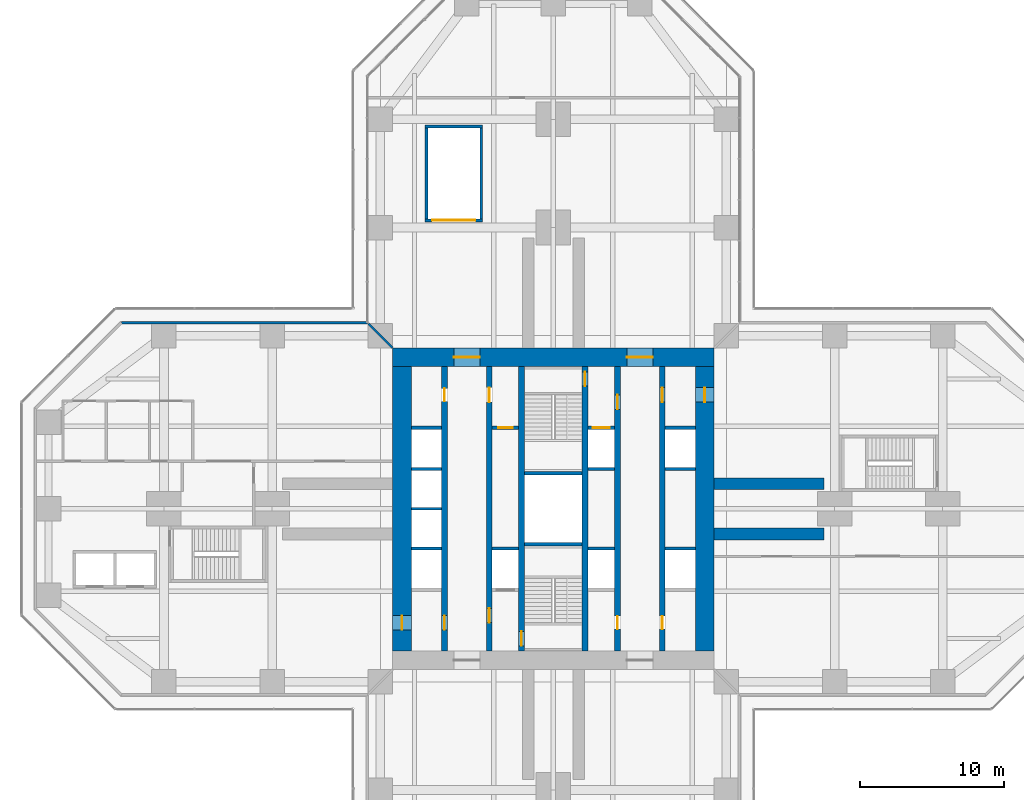
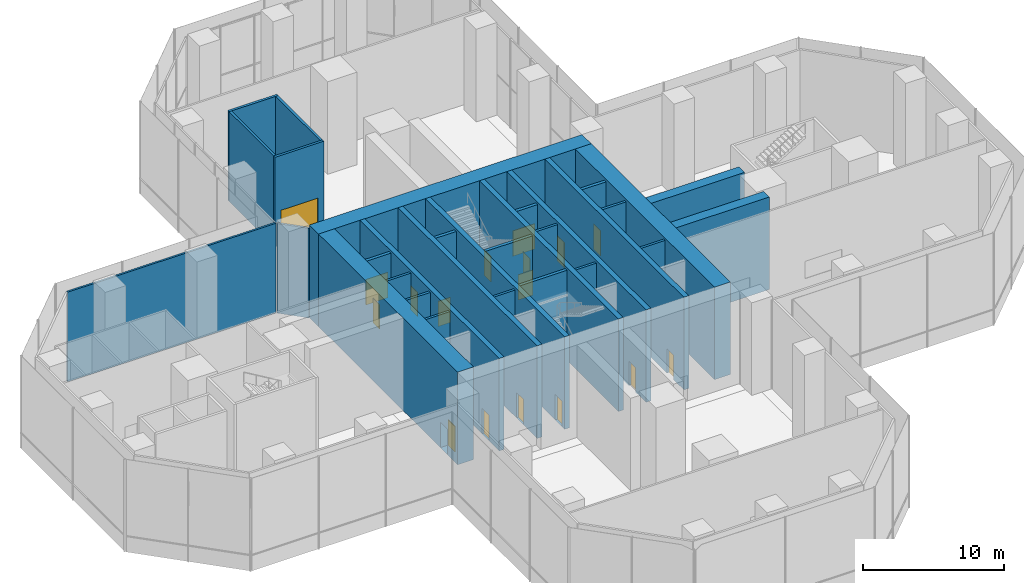
# One storey, part 18 of 25: 31 walls, 17 doors, 17 openings.
"""IFC4 building model written with IfcOpenShell, lengths in metres."""

from ifc_helpers import new_model, si_unit, direction, frame, frame_2d, origin, place, context, subcontext, project, spatial, rectangle, extrude, material, layer, layer_set, type_object, element, fill, save


model = new_model("IFC4")

# Units and contexts
model_context = context("Model", 3, precision=1e-05, world=origin(), true_north=direction((0.0, 1.0)))
body_context = subcontext(model_context, "Body", "Model", "MODEL_VIEW")
ifc_project = project(units=[si_unit("LENGTHUNIT", "METRE"), si_unit("AREAUNIT", "SQUARE_METRE"), si_unit("VOLUMEUNIT", "CUBIC_METRE"), si_unit("PLANEANGLEUNIT", "RADIAN"), si_unit("MASSUNIT", "GRAM", prefix="KILO")], contexts=[model_context])

# Site, building, storey
site_placement = place(None, origin())
site = spatial("IfcSite", under=ifc_project, at=site_placement, CompositionType="ELEMENT")
building_placement = place(site_placement, origin())
building = spatial("IfcBuilding", under=site, at=building_placement, Name="Mizan Broadcast Tower", CompositionType="ELEMENT")
storey_placement = place(building_placement, frame((0.0, 0.0, 15.0)))
storey = spatial("IfcBuildingStorey", under=building, at=storey_placement, Name="L02", CompositionType="ELEMENT", Elevation=15.0)

# Wall, openings, doors
ifc_material_1 = material(Name="Concrete C70/85", Category="concrete")
ifc_layer_1 = layer(ifc_material_1, 0.39990234375)
ifc_layer_set_1 = layer_set([ifc_layer_1], Name="Concrete C70/85")
wall_type_1 = type_object("IfcWallType", Name="CORE INTERNAL WALL 400", PredefinedType="SHEAR", material=ifc_layer_set_1)
wall_1_placement = place(storey_placement, frame((-7.550048828125, -9.85009765625, 0.0), z_axis=(0.0, 0.0, 1.0), x_axis=(0.0, 1.0, 0.0)))
wall_1 = element("IfcWall", 1, at=wall_1_placement, inside=storey, type_object=wall_type_1, Name="Core wall CORE/XW1", PredefinedType="SHEAR", context=body_context, shape_type="SweptSolid", body=[
    extrude(rectangle(XDim=19.7001953125, YDim=0.39990234375, at=frame_2d((9.85009765625, 0.0))), origin(), (0.0, 0.0, 1.0), 8.0),
])
opening_1_placement = place(wall_1_placement, frame((1.449951171875, 0.0, 0.0)))
opening_1 = element("IfcOpeningElement", 2, at=opening_1_placement, cuts=wall_1, Name="Opening D10F", PredefinedType="OPENING", context=body_context, shape_type="SweptSolid", body=[
    extrude(rectangle(XDim=1.0, YDim=2.199951171875, at=frame_2d((0.5, 1.10009765625))), frame((0.0, 0.2099609375, 0.0), z_axis=(0.0, -1.0, 0.0), x_axis=(1.0, 0.0, 0.0)), (0.0, 0.0, 1.0), 0.419921875),
])
opening_2_placement = place(wall_1_placement, frame((17.300048828125, 0.0, 0.0)))
opening_2 = element("IfcOpeningElement", 3, at=opening_2_placement, cuts=wall_1, Name="Opening D09", PredefinedType="OPENING", context=body_context, shape_type="SweptSolid", body=[
    extrude(rectangle(XDim=0.89990234375, YDim=2.10009765625, at=frame_2d((0.449951171875, 1.050048828125))), frame((0.0, 0.2099609375, 0.0), z_axis=(0.0, -1.0, 0.0), x_axis=(1.0, 0.0, 0.0)), (0.0, 0.0, 1.0), 0.419921875),
])
ifc_material_2 = material(Name="Steel door leaf in steel frame", Category="steel")
door_type_1 = type_object("IfcDoorType", Name="FIRE DOOR 1000 FD90", OperationType="SINGLE_SWING_LEFT", PredefinedType="DOOR", material=ifc_material_2)
door_1_placement = place(opening_1_placement, origin())
door_1 = element("IfcDoor", 4, at=door_1_placement, inside=storey, type_object=door_type_1, Name="West core passage door", OperationType="SINGLE_SWING_LEFT", OverallHeight=2.199951171875, OverallWidth=1.0, PredefinedType="DOOR", context=body_context, shape_type="SweptSolid", body=[
    extrude(rectangle(XDim=1.0, YDim=2.199951171875, at=frame_2d((0.5, 1.10009765625))), frame((0.0, 0.02490234375, 0.0), z_axis=(0.0, -1.0, 0.0), x_axis=(1.0, 0.0, 0.0)), (0.0, 0.0, 1.0), 0.050048828125),
])
fill(opening_1, door_1)
ifc_material_3 = material(Name="Timber door leaf in aluminium frame", Category="wood")
door_type_2 = type_object("IfcDoorType", Name="TOILET DOOR 900", OperationType="SINGLE_SWING_LEFT", PredefinedType="DOOR", material=ifc_material_3)
door_2_placement = place(opening_2_placement, origin())
door_2 = element("IfcDoor", 5, at=door_2_placement, inside=storey, type_object=door_type_2, Name="Male WC door", OperationType="SINGLE_SWING_RIGHT", OverallHeight=2.10009765625, OverallWidth=0.89990234375, PredefinedType="DOOR", context=body_context, shape_type="SweptSolid", body=[
    extrude(rectangle(XDim=0.89990234375, YDim=2.10009765625, at=frame_2d((0.449951171875, 1.050048828125))), frame((0.0, 0.02490234375, 0.0), z_axis=(0.0, -1.0, 0.0), x_axis=(1.0, 0.0, 0.0)), (0.0, 0.0, 1.0), 0.050048828125),
])
fill(opening_2, door_2)

wall_2_placement = place(storey_placement, frame((7.550048828125, 9.85009765625, 0.0), z_axis=(0.0, 0.0, 1.0), x_axis=(0.0, -1.0, 0.0)))
wall_2 = element("IfcWall", 6, at=wall_2_placement, inside=storey, type_object=wall_type_1, Name="Core wall CORE/XW1E", PredefinedType="SHEAR", context=body_context, shape_type="SweptSolid", body=[
    extrude(rectangle(XDim=19.7001953125, YDim=0.39990234375, at=frame_2d((9.85009765625, 0.0))), origin(), (0.0, 0.0, 1.0), 8.0),
])
opening_3_placement = place(wall_2_placement, frame((1.449951171875, 0.0, 0.0)))
opening_3 = element("IfcOpeningElement", 7, at=opening_3_placement, cuts=wall_2, Name="Opening D10F", PredefinedType="OPENING", context=body_context, shape_type="SweptSolid", body=[
    extrude(rectangle(XDim=1.0, YDim=2.199951171875, at=frame_2d((0.5, 1.10009765625))), frame((0.0, 0.2099609375, 0.0), z_axis=(0.0, -1.0, 0.0), x_axis=(1.0, 0.0, 0.0)), (0.0, 0.0, 1.0), 0.419921875),
])
opening_4_placement = place(wall_2_placement, frame((17.300048828125, 0.0, 0.0)))
opening_4 = element("IfcOpeningElement", 8, at=opening_4_placement, cuts=wall_2, Name="Opening D09", PredefinedType="OPENING", context=body_context, shape_type="SweptSolid", body=[
    extrude(rectangle(XDim=0.89990234375, YDim=2.10009765625, at=frame_2d((0.449951171875, 1.050048828125))), frame((0.0, 0.2099609375, 0.0), z_axis=(0.0, -1.0, 0.0), x_axis=(1.0, 0.0, 0.0)), (0.0, 0.0, 1.0), 0.419921875),
])
door_3_placement = place(opening_3_placement, origin())
door_3 = element("IfcDoor", 9, at=door_3_placement, inside=storey, type_object=door_type_1, Name="East core passage door", OperationType="SINGLE_SWING_LEFT", OverallHeight=2.199951171875, OverallWidth=1.0, PredefinedType="DOOR", context=body_context, shape_type="SweptSolid", body=[
    extrude(rectangle(XDim=1.0, YDim=2.199951171875, at=frame_2d((0.5, 1.10009765625))), frame((0.0, 0.02490234375, 0.0), z_axis=(0.0, -1.0, 0.0), x_axis=(1.0, 0.0, 0.0)), (0.0, 0.0, 1.0), 0.050048828125),
])
fill(opening_3, door_3)
door_4_placement = place(opening_4_placement, origin())
door_4 = element("IfcDoor", 10, at=door_4_placement, inside=storey, type_object=door_type_2, Name="Female WC door", OperationType="SINGLE_SWING_RIGHT", OverallHeight=2.10009765625, OverallWidth=0.89990234375, PredefinedType="DOOR", context=body_context, shape_type="SweptSolid", body=[
    extrude(rectangle(XDim=0.89990234375, YDim=2.10009765625, at=frame_2d((0.449951171875, 1.050048828125))), frame((0.0, 0.02490234375, 0.0), z_axis=(0.0, -1.0, 0.0), x_axis=(1.0, 0.0, 0.0)), (0.0, 0.0, 1.0), 0.050048828125),
])
fill(opening_4, door_4)

wall_3_placement = place(storey_placement, frame((-4.449951171875, -9.85009765625, 0.0), z_axis=(0.0, 0.0, 1.0), x_axis=(0.0, 1.0, 0.0)))
wall_3 = element("IfcWall", 11, at=wall_3_placement, inside=storey, type_object=wall_type_1, Name="Core wall CORE/XWH", PredefinedType="SHEAR", context=body_context, shape_type="SweptSolid", body=[
    extrude(rectangle(XDim=19.7001953125, YDim=0.39990234375, at=frame_2d((9.85009765625, 0.0))), origin(), (0.0, 0.0, 1.0), 8.0),
])
opening_5_placement = place(wall_3_placement, frame((1.949951171875, 0.0, 0.0)))
opening_5 = element("IfcOpeningElement", 12, at=opening_5_placement, cuts=wall_3, Name="Opening D10F", PredefinedType="OPENING", context=body_context, shape_type="SweptSolid", body=[
    extrude(rectangle(XDim=1.0, YDim=2.199951171875, at=frame_2d((0.5, 1.10009765625))), frame((0.0, 0.2099609375, 0.0), z_axis=(0.0, -1.0, 0.0), x_axis=(1.0, 0.0, 0.0)), (0.0, 0.0, 1.0), 0.419921875),
])
opening_6_placement = place(wall_3_placement, frame((17.25, 0.0, 0.0)))
opening_6 = element("IfcOpeningElement", 13, at=opening_6_placement, cuts=wall_3, Name="Opening D10A", PredefinedType="OPENING", context=body_context, shape_type="SweptSolid", body=[
    extrude(rectangle(XDim=1.0, YDim=2.10009765625, at=frame_2d((0.5, 1.050048828125))), frame((0.0, 0.2099609375, 0.0), z_axis=(0.0, -1.0, 0.0), x_axis=(1.0, 0.0, 0.0)), (0.0, 0.0, 1.0), 0.419921875),
])
ifc_material_4 = material(Name="Timber door leaf in aluminium frame", Category="wood")
door_type_3 = type_object("IfcDoorType", Name="ACCESSIBLE WC DOOR 1000", OperationType="SLIDING_TO_LEFT", PredefinedType="DOOR", material=ifc_material_4)
door_5_placement = place(opening_6_placement, origin())
door_5 = element("IfcDoor", 14, at=door_5_placement, inside=storey, type_object=door_type_3, Name="Accessible WC door", OperationType="SLIDING_TO_LEFT", OverallHeight=2.10009765625, OverallWidth=1.0, PredefinedType="DOOR", context=body_context, shape_type="SweptSolid", body=[
    extrude(rectangle(XDim=1.0, YDim=2.10009765625, at=frame_2d((0.5, 1.050048828125))), frame((0.0, 0.02490234375, 0.0), z_axis=(0.0, -1.0, 0.0), x_axis=(1.0, 0.0, 0.0)), (0.0, 0.0, 1.0), 0.050048828125),
])
fill(opening_6, door_5)
door_6_placement = place(opening_5_placement, origin())
door_6 = element("IfcDoor", 15, at=door_6_placement, inside=storey, type_object=door_type_1, Name="Firefighting lobby A door", OperationType="SINGLE_SWING_LEFT", OverallHeight=2.199951171875, OverallWidth=1.0, PredefinedType="DOOR", context=body_context, shape_type="SweptSolid", body=[
    extrude(rectangle(XDim=1.0, YDim=2.199951171875, at=frame_2d((0.5, 1.10009765625))), frame((0.0, 0.02490234375, 0.0), z_axis=(0.0, -1.0, 0.0), x_axis=(1.0, 0.0, 0.0)), (0.0, 0.0, 1.0), 0.050048828125),
])
fill(opening_5, door_6)

wall_4_placement = place(storey_placement, frame((4.449951171875, 9.85009765625, 0.0), z_axis=(0.0, 0.0, 1.0), x_axis=(0.0, -1.0, 0.0)))
wall_4 = element("IfcWall", 16, at=wall_4_placement, inside=storey, type_object=wall_type_1, Name="Core wall CORE/XWHE", PredefinedType="SHEAR", context=body_context, shape_type="SweptSolid", body=[
    extrude(rectangle(XDim=19.7001953125, YDim=0.39990234375, at=frame_2d((9.85009765625, 0.0))), origin(), (0.0, 0.0, 1.0), 8.0),
])
opening_7_placement = place(wall_4_placement, frame((1.949951171875, 0.0, 0.0)))
opening_7 = element("IfcOpeningElement", 17, at=opening_7_placement, cuts=wall_4, Name="Opening D10F", PredefinedType="OPENING", context=body_context, shape_type="SweptSolid", body=[
    extrude(rectangle(XDim=1.0, YDim=2.199951171875, at=frame_2d((0.5, 1.10009765625))), frame((0.0, 0.2099609375, 0.0), z_axis=(0.0, -1.0, 0.0), x_axis=(1.0, 0.0, 0.0)), (0.0, 0.0, 1.0), 0.419921875),
])
opening_8_placement = place(wall_4_placement, frame((17.300048828125, 0.0, 0.0)))
opening_8 = element("IfcOpeningElement", 18, at=opening_8_placement, cuts=wall_4, Name="Opening D09", PredefinedType="OPENING", context=body_context, shape_type="SweptSolid", body=[
    extrude(rectangle(XDim=0.89990234375, YDim=2.10009765625, at=frame_2d((0.449951171875, 1.050048828125))), frame((0.0, 0.2099609375, 0.0), z_axis=(0.0, -1.0, 0.0), x_axis=(1.0, 0.0, 0.0)), (0.0, 0.0, 1.0), 0.419921875),
])
door_7_placement = place(opening_7_placement, origin())
door_7 = element("IfcDoor", 19, at=door_7_placement, inside=storey, type_object=door_type_1, Name="Firefighting lobby B door", OperationType="SINGLE_SWING_LEFT", OverallHeight=2.199951171875, OverallWidth=1.0, PredefinedType="DOOR", context=body_context, shape_type="SweptSolid", body=[
    extrude(rectangle(XDim=1.0, YDim=2.199951171875, at=frame_2d((0.5, 1.10009765625))), frame((0.0, 0.02490234375, 0.0), z_axis=(0.0, -1.0, 0.0), x_axis=(1.0, 0.0, 0.0)), (0.0, 0.0, 1.0), 0.050048828125),
])
fill(opening_7, door_7)
door_8_placement = place(opening_8_placement, origin())
door_8 = element("IfcDoor", 20, at=door_8_placement, inside=storey, type_object=door_type_2, Name="Cleaner's store door", OperationType="SINGLE_SWING_RIGHT", OverallHeight=2.10009765625, OverallWidth=0.89990234375, PredefinedType="DOOR", context=body_context, shape_type="SweptSolid", body=[
    extrude(rectangle(XDim=0.89990234375, YDim=2.10009765625, at=frame_2d((0.449951171875, 1.050048828125))), frame((0.0, 0.02490234375, 0.0), z_axis=(0.0, -1.0, 0.0), x_axis=(1.0, 0.0, 0.0)), (0.0, 0.0, 1.0), 0.050048828125),
])
fill(opening_8, door_8)

# Wall, opening, door
wall_5_placement = place(storey_placement, frame((-2.199951171875, -9.85009765625, 0.0), z_axis=(0.0, 0.0, 1.0), x_axis=(0.0, 1.0, 0.0)))
wall_5 = element("IfcWall", 21, at=wall_5_placement, inside=storey, type_object=wall_type_1, Name="Core wall CORE/XW2", PredefinedType="SHEAR", context=body_context, shape_type="SweptSolid", body=[
    extrude(rectangle(XDim=19.7001953125, YDim=0.39990234375, at=frame_2d((9.85009765625, 0.0))), origin(), (0.0, 0.0, 1.0), 8.0),
])
opening_9_placement = place(wall_5_placement, frame((0.35009765625, 0.0, 0.0)))
opening_9 = element("IfcOpeningElement", 22, at=opening_9_placement, cuts=wall_5, Name="Opening D10S", PredefinedType="OPENING", context=body_context, shape_type="SweptSolid", body=[
    extrude(rectangle(XDim=1.0, YDim=2.199951171875, at=frame_2d((0.5, 1.10009765625))), frame((0.0, 0.2099609375, 0.0), z_axis=(0.0, -1.0, 0.0), x_axis=(1.0, 0.0, 0.0)), (0.0, 0.0, 1.0), 0.419921875),
])
ifc_material_5 = material(Name="Steel door leaf in steel frame", Category="steel")
door_type_4 = type_object("IfcDoorType", Name="STAIR DOOR 1000 FD90S", OperationType="SINGLE_SWING_RIGHT", PredefinedType="DOOR", material=ifc_material_5)
door_9_placement = place(opening_9_placement, origin())
door_9 = element("IfcDoor", 23, at=door_9_placement, inside=storey, type_object=door_type_4, Name="Stair A door", OperationType="SINGLE_SWING_RIGHT", OverallHeight=2.199951171875, OverallWidth=1.0, PredefinedType="DOOR", context=body_context, shape_type="SweptSolid", body=[
    extrude(rectangle(XDim=1.0, YDim=2.199951171875, at=frame_2d((0.5, 1.10009765625))), frame((0.0, 0.02490234375, 0.0), z_axis=(0.0, -1.0, 0.0), x_axis=(1.0, 0.0, 0.0)), (0.0, 0.0, 1.0), 0.050048828125),
])
fill(opening_9, door_9)

wall_6_placement = place(storey_placement, frame((2.199951171875, 9.85009765625, 0.0), z_axis=(0.0, 0.0, 1.0), x_axis=(0.0, -1.0, 0.0)))
wall_6 = element("IfcWall", 24, at=wall_6_placement, inside=storey, type_object=wall_type_1, Name="Core wall CORE/XW2E", PredefinedType="SHEAR", context=body_context, shape_type="SweptSolid", body=[
    extrude(rectangle(XDim=19.7001953125, YDim=0.39990234375, at=frame_2d((9.85009765625, 0.0))), origin(), (0.0, 0.0, 1.0), 8.0),
])
opening_10_placement = place(wall_6_placement, frame((0.35009765625, 0.0, 0.0)))
opening_10 = element("IfcOpeningElement", 25, at=opening_10_placement, cuts=wall_6, Name="Opening D10S", PredefinedType="OPENING", context=body_context, shape_type="SweptSolid", body=[
    extrude(rectangle(XDim=1.0, YDim=2.199951171875, at=frame_2d((0.5, 1.10009765625))), frame((0.0, 0.2099609375, 0.0), z_axis=(0.0, -1.0, 0.0), x_axis=(1.0, 0.0, 0.0)), (0.0, 0.0, 1.0), 0.419921875),
])
door_10_placement = place(opening_10_placement, origin())
door_10 = element("IfcDoor", 26, at=door_10_placement, inside=storey, type_object=door_type_4, Name="Stair B door", OperationType="SINGLE_SWING_RIGHT", OverallHeight=2.199951171875, OverallWidth=1.0, PredefinedType="DOOR", context=body_context, shape_type="SweptSolid", body=[
    extrude(rectangle(XDim=1.0, YDim=2.199951171875, at=frame_2d((0.5, 1.10009765625))), frame((0.0, 0.02490234375, 0.0), z_axis=(0.0, -1.0, 0.0), x_axis=(1.0, 0.0, 0.0)), (0.0, 0.0, 1.0), 0.050048828125),
])
fill(opening_10, door_10)

# Wall, openings, doors
ifc_material_6 = material(Name="Concrete C70/85", Category="concrete")
ifc_layer_2 = layer(ifc_material_6, 1.300048828125)
ifc_layer_set_2 = layer_set([ifc_layer_2], Name="Concrete C70/85")
wall_type_2 = type_object("IfcWallType", Name="CORE WALL 1300", PredefinedType="SHEAR", material=ifc_layer_set_2)
wall_7_placement = place(storey_placement, frame((-11.14990234375, 10.5, 0.0), z_axis=(0.0, 0.0, 1.0), x_axis=(1.0, 0.0, 0.0)))
wall_7 = element("IfcWall", 27, at=wall_7_placement, inside=storey, type_object=wall_type_2, Name="Core wall N L02", PredefinedType="SHEAR", context=body_context, shape_type="SweptSolid", body=[
    extrude(rectangle(XDim=22.2998046875, YDim=1.300048828125, at=frame_2d((11.14990234375, 0.0))), origin(), (0.0, 0.0, 1.0), 8.0),
])
opening_11_placement = place(wall_7_placement, frame((4.25, 0.0, 0.0)))
opening_11 = element("IfcOpeningElement", 28, at=opening_11_placement, cuts=wall_7, Name="Opening D18F", PredefinedType="OPENING", context=body_context, shape_type="SweptSolid", body=[
    extrude(rectangle(XDim=1.800048828125, YDim=2.199951171875, at=frame_2d((0.89990234375, 1.10009765625))), frame((0.0, 0.659912109375, 0.0), z_axis=(0.0, -1.0, 0.0), x_axis=(1.0, 0.0, 0.0)), (0.0, 0.0, 1.0), 1.320068359375),
])
opening_12_placement = place(wall_7_placement, frame((16.25, 0.0, 0.0)))
opening_12 = element("IfcOpeningElement", 29, at=opening_12_placement, cuts=wall_7, Name="Opening D18F", PredefinedType="OPENING", context=body_context, shape_type="SweptSolid", body=[
    extrude(rectangle(XDim=1.800048828125, YDim=2.199951171875, at=frame_2d((0.89990234375, 1.10009765625))), frame((0.0, 0.659912109375, 0.0), z_axis=(0.0, -1.0, 0.0), x_axis=(1.0, 0.0, 0.0)), (0.0, 0.0, 1.0), 1.320068359375),
])
ifc_material_7 = material(Name="Steel door leaf in steel frame", Category="steel")
door_type_5 = type_object("IfcDoorType", Name="LOBBY DOUBLE DOOR 1800 FD90", OperationType="DOUBLE_DOOR_DOUBLE_SWING", PredefinedType="DOOR", material=ifc_material_7)
door_11_placement = place(opening_11_placement, origin())
door_11 = element("IfcDoor", 30, at=door_11_placement, inside=storey, type_object=door_type_5, Name="West lift lobby north door", OperationType="DOUBLE_DOOR_DOUBLE_SWING", OverallHeight=2.199951171875, OverallWidth=1.800048828125, PredefinedType="DOOR", context=body_context, shape_type="SweptSolid", body=[
    extrude(rectangle(XDim=1.800048828125, YDim=2.199951171875, at=frame_2d((0.89990234375, 1.10009765625))), frame((0.0, 0.02490234375, 0.0), z_axis=(0.0, -1.0, 0.0), x_axis=(1.0, 0.0, 0.0)), (0.0, 0.0, 1.0), 0.050048828125),
])
fill(opening_11, door_11)
door_12_placement = place(opening_12_placement, origin())
door_12 = element("IfcDoor", 31, at=door_12_placement, inside=storey, type_object=door_type_5, Name="East lift lobby north door", OperationType="DOUBLE_DOOR_DOUBLE_SWING", OverallHeight=2.199951171875, OverallWidth=1.800048828125, PredefinedType="DOOR", context=body_context, shape_type="SweptSolid", body=[
    extrude(rectangle(XDim=1.800048828125, YDim=2.199951171875, at=frame_2d((0.89990234375, 1.10009765625))), frame((0.0, 0.02490234375, 0.0), z_axis=(0.0, -1.0, 0.0), x_axis=(1.0, 0.0, 0.0)), (0.0, 0.0, 1.0), 0.050048828125),
])
fill(opening_12, door_12)

# Wall, opening, door
wall_8_placement = place(storey_placement, frame((10.5, -9.85009765625, 0.0), z_axis=(0.0, 0.0, 1.0), x_axis=(0.0, 1.0, 0.0)))
wall_8 = element("IfcWall", 32, at=wall_8_placement, inside=storey, type_object=wall_type_2, Name="Core wall E L02", PredefinedType="SHEAR", context=body_context, shape_type="SweptSolid", body=[
    extrude(rectangle(XDim=19.7001953125, YDim=1.300048828125, at=frame_2d((9.85009765625, 0.0))), origin(), (0.0, 0.0, 1.0), 8.0),
])
opening_13_placement = place(wall_8_placement, frame((17.25, 0.0, 0.0)))
opening_13 = element("IfcOpeningElement", 33, at=opening_13_placement, cuts=wall_8, Name="Opening D10F", PredefinedType="OPENING", context=body_context, shape_type="SweptSolid", body=[
    extrude(rectangle(XDim=1.0, YDim=2.199951171875, at=frame_2d((0.5, 1.10009765625))), frame((0.0, 0.659912109375, 0.0), z_axis=(0.0, -1.0, 0.0), x_axis=(1.0, 0.0, 0.0)), (0.0, 0.0, 1.0), 1.320068359375),
])
door_13_placement = place(opening_13_placement, origin())
door_13 = element("IfcDoor", 34, at=door_13_placement, inside=storey, type_object=door_type_1, Name="East core passage arm door", OperationType="SINGLE_SWING_RIGHT", OverallHeight=2.199951171875, OverallWidth=1.0, PredefinedType="DOOR", context=body_context, shape_type="SweptSolid", body=[
    extrude(rectangle(XDim=1.0, YDim=2.199951171875, at=frame_2d((0.5, 1.10009765625))), frame((0.0, 0.02490234375, 0.0), z_axis=(0.0, -1.0, 0.0), x_axis=(1.0, 0.0, 0.0)), (0.0, 0.0, 1.0), 0.050048828125),
])
fill(opening_13, door_13)

wall_9_placement = place(storey_placement, frame((-10.5, 9.85009765625, 0.0), z_axis=(0.0, 0.0, 1.0), x_axis=(0.0, -1.0, 0.0)))
wall_9 = element("IfcWall", 35, at=wall_9_placement, inside=storey, type_object=wall_type_2, Name="Core wall W L02", PredefinedType="SHEAR", context=body_context, shape_type="SweptSolid", body=[
    extrude(rectangle(XDim=19.7001953125, YDim=1.300048828125, at=frame_2d((9.85009765625, 0.0))), origin(), (0.0, 0.0, 1.0), 8.0),
])
opening_14_placement = place(wall_9_placement, frame((17.25, 0.0, 0.0)))
opening_14 = element("IfcOpeningElement", 36, at=opening_14_placement, cuts=wall_9, Name="Opening D10F", PredefinedType="OPENING", context=body_context, shape_type="SweptSolid", body=[
    extrude(rectangle(XDim=1.0, YDim=2.199951171875, at=frame_2d((0.5, 1.10009765625))), frame((0.0, 0.659912109375, 0.0), z_axis=(0.0, -1.0, 0.0), x_axis=(1.0, 0.0, 0.0)), (0.0, 0.0, 1.0), 1.320068359375),
])
door_14_placement = place(opening_14_placement, origin())
door_14 = element("IfcDoor", 37, at=door_14_placement, inside=storey, type_object=door_type_1, Name="West core passage arm door", OperationType="SINGLE_SWING_RIGHT", OverallHeight=2.199951171875, OverallWidth=1.0, PredefinedType="DOOR", context=body_context, shape_type="SweptSolid", body=[
    extrude(rectangle(XDim=1.0, YDim=2.199951171875, at=frame_2d((0.5, 1.10009765625))), frame((0.0, 0.02490234375, 0.0), z_axis=(0.0, -1.0, 0.0), x_axis=(1.0, 0.0, 0.0)), (0.0, 0.0, 1.0), 0.050048828125),
])
fill(opening_14, door_14)

# Walls
ifc_material_8 = material(Name="Concrete blockwork", Category="masonry")
ifc_layer_3 = layer(ifc_material_8, 0.199951171875)
ifc_layer_set_3 = layer_set([ifc_layer_3], Name="Concrete blockwork")
wall_type_3 = type_object("IfcWallType", Name="LIFT SHAFT WALL 200", PredefinedType="SOLIDWALL", material=ifc_layer_set_3)
wall_10_placement = place(storey_placement, frame((-9.85009765625, -2.75, 0.0), z_axis=(0.0, 0.0, 1.0), x_axis=(1.0, 0.0, 0.0)))
element("IfcWall", 38, at=wall_10_placement, inside=storey, type_object=wall_type_3, Name="Lift shaft wall CORE/SW1-1", PredefinedType="SOLIDWALL", context=body_context, shape_type="SweptSolid", body=[
    extrude(rectangle(XDim=2.10009765625, YDim=0.199951171875, at=frame_2d((1.050048828125, 0.0))), origin(), (0.0, 0.0, 1.0), 7.800048828125),
])
for number, where, z_axis, x_axis, name in (
    (39, (-4.25, -2.75, 0.0), (0.0, 0.0, 1.0), (1.0, 0.0, 0.0), "Lift shaft wall CORE/SW2-1"),
    (40, (2.39990234375, -2.75, 0.0), (0.0, 0.0, 1.0), (1.0, 0.0, 0.0), "Lift shaft wall CORE/SE2-1"),
):
    element("IfcWall", number, at=place(storey_placement, frame(where, z_axis=z_axis, x_axis=x_axis)), inside=storey, type_object=wall_type_3, Name=name, PredefinedType="SOLIDWALL", context=body_context, shape_type="SweptSolid", body=[
        extrude(rectangle(XDim=1.85009765625, YDim=0.199951171875, at=frame_2d((0.925048828125, 0.0))), origin(), (0.0, 0.0, 1.0), 7.800048828125),
    ])
for number, where, z_axis, x_axis, name in (
    (41, (7.75, -2.75, 0.0), (0.0, 0.0, 1.0), (1.0, 0.0, 0.0), "Lift shaft wall CORE/SE1-1"),
    (42, (-9.85009765625, 0.0, 0.0), (0.0, 0.0, 1.0), (1.0, 0.0, 0.0), "Lift shaft wall CORE/SW1-2"),
    (43, (-9.85009765625, 2.75, 0.0), (0.0, 0.0, 1.0), (1.0, 0.0, 0.0), "Lift shaft wall CORE/SW1-3"),
):
    element("IfcWall", number, at=place(storey_placement, frame(where, z_axis=z_axis, x_axis=x_axis)), inside=storey, type_object=wall_type_3, Name=name, PredefinedType="SOLIDWALL", context=body_context, shape_type="SweptSolid", body=[
        extrude(rectangle(XDim=2.10009765625, YDim=0.199951171875, at=frame_2d((1.050048828125, 0.0))), origin(), (0.0, 0.0, 1.0), 7.800048828125),
    ])
wall_11_placement = place(storey_placement, frame((2.39990234375, 2.75, 0.0), z_axis=(0.0, 0.0, 1.0), x_axis=(1.0, 0.0, 0.0)))
element("IfcWall", 44, at=wall_11_placement, inside=storey, type_object=wall_type_3, Name="Lift shaft wall CORE/SE2-3", PredefinedType="SOLIDWALL", context=body_context, shape_type="SweptSolid", body=[
    extrude(rectangle(XDim=1.85009765625, YDim=0.199951171875, at=frame_2d((0.925048828125, 0.0))), origin(), (0.0, 0.0, 1.0), 7.800048828125),
])
wall_12_placement = place(storey_placement, frame((7.75, 2.75, 0.0), z_axis=(0.0, 0.0, 1.0), x_axis=(1.0, 0.0, 0.0)))
element("IfcWall", 45, at=wall_12_placement, inside=storey, type_object=wall_type_3, Name="Lift shaft wall CORE/SE1-3", PredefinedType="SOLIDWALL", context=body_context, shape_type="SweptSolid", body=[
    extrude(rectangle(XDim=2.10009765625, YDim=0.199951171875, at=frame_2d((1.050048828125, 0.0))), origin(), (0.0, 0.0, 1.0), 7.800048828125),
])

# Wall, opening, door
wall_13_placement = place(storey_placement, frame((-4.89990234375, 20.0, 0.0), z_axis=(0.0, 0.0, 1.0), x_axis=(-1.0, 0.0, 0.0)))
wall_13 = element("IfcWall", 46, at=wall_13_placement, inside=storey, type_object=wall_type_3, Name="Lift shaft wall GLS/U0", PredefinedType="SOLIDWALL", context=body_context, shape_type="SweptSolid", body=[
    extrude(rectangle(XDim=4.0, YDim=0.199951171875, at=frame_2d((2.0, 0.0))), origin(), (0.0, 0.0, 1.0), 7.75),
])
opening_15_placement = place(wall_13_placement, frame((0.5, 0.0, 0.0)))
opening_15 = element("IfcOpeningElement", 47, at=opening_15_placement, cuts=wall_13, Name="Opening LDG", PredefinedType="OPENING", context=body_context, shape_type="SweptSolid", body=[
    extrude(rectangle(XDim=3.0, YDim=3.0, at=frame_2d((1.5, 1.5))), frame((0.0, 0.10986328125, 0.0), z_axis=(0.0, -1.0, 0.0), x_axis=(1.0, 0.0, 0.0)), (0.0, 0.0, 1.0), 0.219970703125),
])
ifc_material_9 = material(Name="Steel door leaf in steel frame", Category="steel")
door_type_6 = type_object("IfcDoorType", Name="GOODS LIFT LANDING DOOR 3000", OperationType="SLIDING_TO_LEFT", PredefinedType="DOOR", material=ifc_material_9)
door_15_placement = place(opening_15_placement, origin())
door_15 = element("IfcDoor", 48, at=door_15_placement, inside=storey, type_object=door_type_6, Name="Landing door GL1", OperationType="SLIDING_TO_LEFT", OverallHeight=3.0, OverallWidth=3.0, PredefinedType="DOOR", context=body_context, shape_type="SweptSolid", body=[
    extrude(rectangle(XDim=3.0, YDim=3.0, at=frame_2d((1.5, 1.5))), frame((0.0, 0.02490234375, 0.0), z_axis=(0.0, -1.0, 0.0), x_axis=(1.0, 0.0, 0.0)), (0.0, 0.0, 1.0), 0.050048828125),
])
fill(opening_15, door_15)

# Walls
wall_14_placement = place(storey_placement, frame((-8.89990234375, 26.5, 0.0), z_axis=(0.0, 0.0, 1.0), x_axis=(1.0, 0.0, 0.0)))
element("IfcWall", 49, at=wall_14_placement, inside=storey, type_object=wall_type_3, Name="Lift shaft wall GLS/U1", PredefinedType="SOLIDWALL", context=body_context, shape_type="SweptSolid", body=[
    extrude(rectangle(XDim=4.0, YDim=0.199951171875, at=frame_2d((2.0, 0.0))), origin(), (0.0, 0.0, 1.0), 7.75),
])
for number, where, z_axis, x_axis, name in (
    (50, (-5.0, 20.10009765625, 0.0), (0.0, 0.0, 1.0), (0.0, 1.0, 0.0), "Lift shaft wall GLS/V0"),
    (51, (-8.800048828125, 26.39990234375, 0.0), (0.0, 0.0, 1.0), (0.0, -1.0, 0.0), "Lift shaft wall GLS/V1"),
):
    element("IfcWall", number, at=place(storey_placement, frame(where, z_axis=z_axis, x_axis=x_axis)), inside=storey, type_object=wall_type_3, Name=name, PredefinedType="SOLIDWALL", context=body_context, shape_type="SweptSolid", body=[
        extrude(rectangle(XDim=6.2998046875, YDim=0.199951171875, at=frame_2d((3.14990234375, 0.0))), origin(), (0.0, 0.0, 1.0), 7.75),
    ])
ifc_material_10 = material(Name="Concrete blockwork", Category="masonry")
ifc_layer_4 = layer(ifc_material_10, 0.25)
ifc_layer_set_4 = layer_set([ifc_layer_4], Name="Concrete blockwork")
wall_type_4 = type_object("IfcWallType", Name="LOBBY ENCLOSURE WALL 250", PredefinedType="SOLIDWALL", material=ifc_layer_set_4)
wall_15_placement = place(storey_placement, frame((-9.85009765625, 5.625, 0.0), z_axis=(0.0, 0.0, 1.0), x_axis=(1.0, 0.0, 0.0)))
element("IfcWall", 52, at=wall_15_placement, inside=storey, type_object=wall_type_4, Name="Lobby enclosure wall CORE/BW1N", PredefinedType="SOLIDWALL", context=body_context, shape_type="SweptSolid", body=[
    extrude(rectangle(XDim=2.10009765625, YDim=0.25, at=frame_2d((1.050048828125, 0.0))), origin(), (0.0, 0.0, 1.0), 7.800048828125),
])

# Wall, opening, door
wall_16_placement = place(storey_placement, frame((-4.25, 5.625, 0.0), z_axis=(0.0, 0.0, 1.0), x_axis=(1.0, 0.0, 0.0)))
wall_16 = element("IfcWall", 53, at=wall_16_placement, inside=storey, type_object=wall_type_4, Name="Lobby enclosure wall CORE/BW2N", PredefinedType="SOLIDWALL", context=body_context, shape_type="SweptSolid", body=[
    extrude(rectangle(XDim=1.85009765625, YDim=0.25, at=frame_2d((0.925048828125, 0.0))), origin(), (0.0, 0.0, 1.0), 7.800048828125),
])
opening_16_placement = place(wall_16_placement, frame((0.425048828125, 0.0, 0.0)))
opening_16 = element("IfcOpeningElement", 54, at=opening_16_placement, cuts=wall_16, Name="Opening D10F", PredefinedType="OPENING", context=body_context, shape_type="SweptSolid", body=[
    extrude(rectangle(XDim=1.0, YDim=2.199951171875, at=frame_2d((0.5, 1.10009765625))), frame((0.0, 0.135009765625, 0.0), z_axis=(0.0, -1.0, 0.0), x_axis=(1.0, 0.0, 0.0)), (0.0, 0.0, 1.0), 0.27001953125),
])
door_16_placement = place(opening_16_placement, origin())
door_16 = element("IfcDoor", 55, at=door_16_placement, inside=storey, type_object=door_type_1, Name="Accessible shower room door", OperationType="SINGLE_SWING_RIGHT", OverallHeight=2.199951171875, OverallWidth=1.0, PredefinedType="DOOR", context=body_context, shape_type="SweptSolid", body=[
    extrude(rectangle(XDim=1.0, YDim=2.199951171875, at=frame_2d((0.5, 1.10009765625))), frame((0.0, 0.02490234375, 0.0), z_axis=(0.0, -1.0, 0.0), x_axis=(1.0, 0.0, 0.0)), (0.0, 0.0, 1.0), 0.050048828125),
])
fill(opening_16, door_16)

wall_17_placement = place(storey_placement, frame((2.39990234375, 5.625, 0.0), z_axis=(0.0, 0.0, 1.0), x_axis=(1.0, 0.0, 0.0)))
wall_17 = element("IfcWall", 56, at=wall_17_placement, inside=storey, type_object=wall_type_4, Name="Lobby enclosure wall CORE/BE2N", PredefinedType="SOLIDWALL", context=body_context, shape_type="SweptSolid", body=[
    extrude(rectangle(XDim=1.85009765625, YDim=0.25, at=frame_2d((0.925048828125, 0.0))), origin(), (0.0, 0.0, 1.0), 7.800048828125),
])
opening_17_placement = place(wall_17_placement, frame((0.324951171875, 0.0, 0.0)))
opening_17 = element("IfcOpeningElement", 57, at=opening_17_placement, cuts=wall_17, Name="Opening LDF", PredefinedType="OPENING", context=body_context, shape_type="SweptSolid", body=[
    extrude(rectangle(XDim=1.199951171875, YDim=2.199951171875, at=frame_2d((0.60009765625, 1.10009765625))), frame((0.0, 0.135009765625, 0.0), z_axis=(0.0, -1.0, 0.0), x_axis=(1.0, 0.0, 0.0)), (0.0, 0.0, 1.0), 0.27001953125),
])
ifc_material_11 = material(Name="Steel door leaf in steel frame", Category="steel")
door_type_7 = type_object("IfcDoorType", Name="FIREFIGHTING LIFT LANDING DOOR 1200", OperationType="SLIDING_TO_LEFT", PredefinedType="DOOR", material=ifc_material_11)
door_17_placement = place(opening_17_placement, origin())
door_17 = element("IfcDoor", 58, at=door_17_placement, inside=storey, type_object=door_type_7, Name="Landing door FF2", OperationType="SLIDING_TO_LEFT", OverallHeight=2.199951171875, OverallWidth=1.199951171875, PredefinedType="DOOR", context=body_context, shape_type="SweptSolid", body=[
    extrude(rectangle(XDim=1.199951171875, YDim=2.199951171875, at=frame_2d((0.60009765625, 1.10009765625))), frame((0.0, 0.02490234375, 0.0), z_axis=(0.0, -1.0, 0.0), x_axis=(1.0, 0.0, 0.0)), (0.0, 0.0, 1.0), 0.050048828125),
])
fill(opening_17, door_17)

# Walls
wall_18_placement = place(storey_placement, frame((7.75, 5.625, 0.0), z_axis=(0.0, 0.0, 1.0), x_axis=(1.0, 0.0, 0.0)))
element("IfcWall", 59, at=wall_18_placement, inside=storey, type_object=wall_type_4, Name="Lobby enclosure wall CORE/BE1N", PredefinedType="SOLIDWALL", context=body_context, shape_type="SweptSolid", body=[
    extrude(rectangle(XDim=2.10009765625, YDim=0.25, at=frame_2d((1.050048828125, 0.0))), origin(), (0.0, 0.0, 1.0), 7.800048828125),
])
for number, where, z_axis, x_axis, name in (
    (60, (-2.0, -2.449951171875, 0.0), (0.0, 0.0, 1.0), (1.0, 0.0, 0.0), "Lobby enclosure wall CORE/STA"),
    (61, (-2.0, 2.449951171875, 0.0), (0.0, 0.0, 1.0), (1.0, 0.0, 0.0), "Lobby enclosure wall CORE/STB"),
):
    element("IfcWall", number, at=place(storey_placement, frame(where, z_axis=z_axis, x_axis=x_axis)), inside=storey, type_object=wall_type_4, Name=name, PredefinedType="SOLIDWALL", context=body_context, shape_type="SweptSolid", body=[
        extrude(rectangle(XDim=4.0, YDim=0.25, at=frame_2d((2.0, 0.0))), origin(), (0.0, 0.0, 1.0), 7.800048828125),
    ])
ifc_material_12 = material(Name="Gypsum board on steel studs", Category="steel")
ifc_layer_5 = layer(ifc_material_12, 0.14990234375)
ifc_layer_set_5 = layer_set([ifc_layer_5], Name="Gypsum board on steel studs")
wall_type_5 = type_object("IfcWallType", Name="PARTITION 150", PredefinedType="PARTITIONING", material=ifc_layer_set_5)
wall_19_placement = place(storey_placement, frame((-11.14990234375, 11.14990234375, 0.0), z_axis=(0.0, 0.0, 1.0), x_axis=(-0.707106781187, 0.707106781187, 0.0)))
element("IfcWall", 62, at=wall_19_placement, inside=storey, type_object=wall_type_5, Name="Partition PT/DGWN", PredefinedType="PARTITIONING", context=body_context, shape_type="SweptSolid", body=[
    extrude(rectangle(XDim=2.362060546875, YDim=0.14990234375, at=frame_2d((1.18115234375, 0.0))), origin(), (0.0, 0.0, 1.0), 7.75),
])
ifc_material_13 = material(Name="Concrete C70/85", Category="concrete")
ifc_layer_6 = layer(ifc_material_13, 0.800048828125)
ifc_layer_set_6 = layer_set([ifc_layer_6], Name="Concrete C70/85")
wall_type_6 = type_object("IfcWallType", Name="SPINE WALL 800", PredefinedType="SHEAR", material=ifc_layer_set_6)
for number, where, z_axis, x_axis, name in (
    (63, (11.14990234375, -1.75, 0.0), (0.0, 0.0, 1.0), (1.0, 0.0, 0.0), "Spine wall ER L02"),
    (64, (11.14990234375, 1.75, 0.0), (0.0, 0.0, 1.0), (1.0, 0.0, 0.0), "Spine wall EL L02"),
):
    element("IfcWall", number, at=place(storey_placement, frame(where, z_axis=z_axis, x_axis=x_axis)), inside=storey, type_object=wall_type_6, Name=name, PredefinedType="SHEAR", context=body_context, shape_type="SweptSolid", body=[
        extrude(rectangle(XDim=7.625, YDim=0.800048828125, at=frame_2d((3.8125, 0.0))), origin(), (0.0, 0.0, 1.0), 8.0),
    ])
ifc_material_14 = material(Name="Insulated aluminium panel wall", Category="aluminium")
ifc_layer_7 = layer(ifc_material_14, 0.159912109375)
ifc_layer_set_7 = layer_set([ifc_layer_7], Name="Insulated aluminium panel wall")
wall_type_7 = type_object("IfcWallType", Name="STUDIO CLADDING WALL 160", PredefinedType="SOLIDWALL", material=ifc_layer_set_7)
wall_20_placement = place(storey_placement, frame((-12.89990234375, 12.89990234375, 0.0), z_axis=(0.0, 0.0, 1.0), x_axis=(-1.0, 0.0, 0.0)))
element("IfcWall", 65, at=wall_20_placement, inside=storey, type_object=wall_type_7, Name="External wall L02 W side", PredefinedType="SOLIDWALL", context=body_context, shape_type="SweptSolid", body=[
    extrude(rectangle(XDim=17.05859375, YDim=0.159912109375, at=frame_2d((8.529296875, 0.0))), origin(), (0.0, 0.0, 1.0), 7.75),
])

save(model, "model.ifc")
